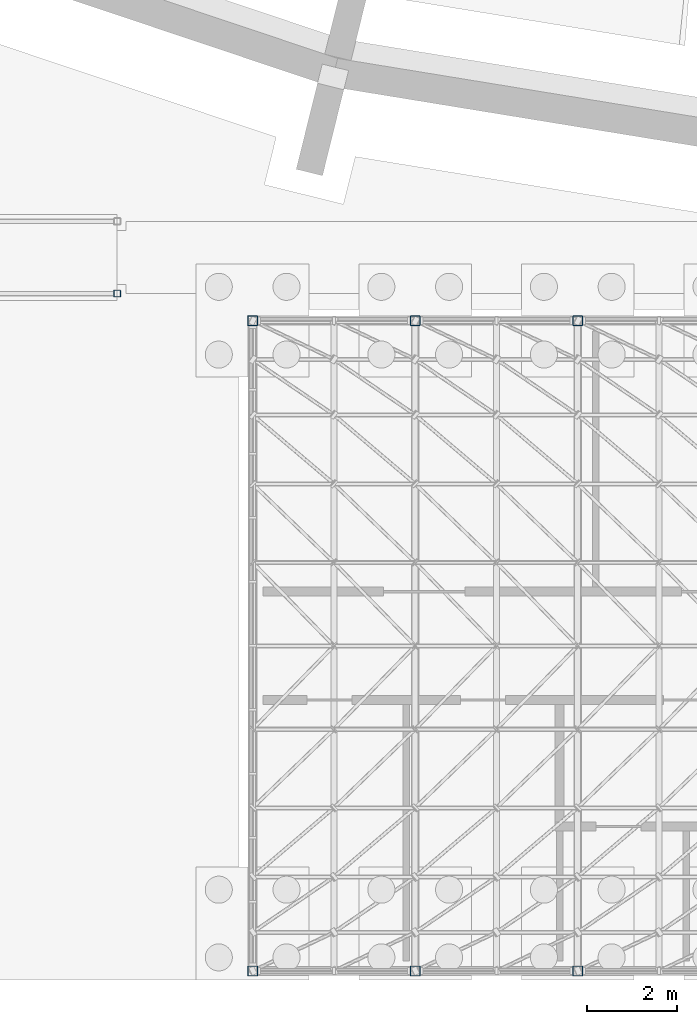
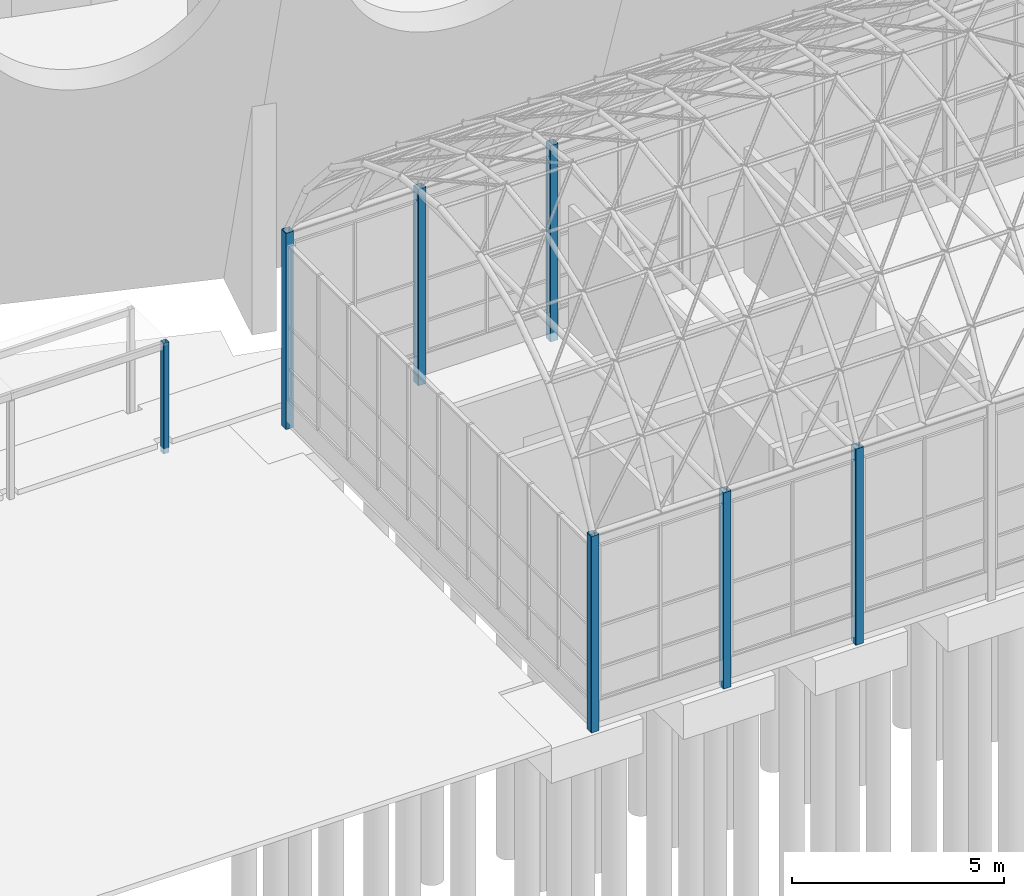
# One storey, part 5 of 116: 7 columns.
"""IFC4 building model written with IfcOpenShell, lengths in metres."""

from ifc_helpers import new_model, si_unit, direction, frame, origin, origin_2d, place, context, subcontext, project, spatial, hollow_rectangle, extrude, material, material_profile, profile_set, type_object, element, save


model = new_model("IFC4")

# Units and contexts
model_context = context("Model", 3, precision=1e-05, world=origin(), true_north=direction((0.0, 1.0)))
body_context = subcontext(model_context, "Body", "Model", "MODEL_VIEW")
ifc_project = project(units=[si_unit("LENGTHUNIT", "METRE"), si_unit("AREAUNIT", "SQUARE_METRE"), si_unit("VOLUMEUNIT", "CUBIC_METRE"), si_unit("PLANEANGLEUNIT", "RADIAN"), si_unit("MASSUNIT", "GRAM", prefix="KILO")], contexts=[model_context])

# Site, building, storey
site_placement = place(None, origin())
site = spatial("IfcSite", under=ifc_project, at=site_placement, CompositionType="ELEMENT")
building_placement = place(site_placement, origin())
building = spatial("IfcBuilding", under=site, at=building_placement, Name="Ardhachandra Cancer Care Centre", CompositionType="ELEMENT")
storey_placement = place(building_placement, origin())
storey = spatial("IfcBuildingStorey", under=building, at=storey_placement, Name="L00", CompositionType="ELEMENT", Elevation=0.0)

# Columns
ifc_material_1 = material(Name="Steel E350 (IS 2062)", Category="steel")
ifc_material_profile_1 = material_profile(ifc_material_1, hollow_rectangle(XDim=0.219970703125, YDim=0.219970703125, WallThickness=0.008056640625, InnerFilletRadius=0.008056640625, OuterFilletRadius=0.01611328125, at=origin_2d()), Name="SHS 220x220x8.0")
ifc_profile_set_1 = profile_set([ifc_material_profile_1], Name="Steel E350 (IS 2062)")
column_type_1 = type_object("IfcColumnType", Name="Column SHS 220x220x8.0", PredefinedType="COLUMN", material=ifc_profile_set_1)
for number, where, z_axis, x_axis, name in (
    (1, (63.60009765625, 7.199951171875, -0.25), (0.0, 0.0, 1.0), (1.0, 0.0, 0.0), "Pavilion column S1"),
    (2, (67.199951171875, 7.199951171875, -0.25), (0.0, 0.0, 1.0), (1.0, 0.0, 0.0), "Pavilion column S2"),
    (3, (70.800048828125, 7.199951171875, -0.25), (0.0, 0.0, 1.0), (1.0, 0.0, 0.0), "Pavilion column S3"),
    (4, (63.60009765625, 21.60009765625, -0.25), (0.0, 0.0, 1.0), (1.0, 0.0, 0.0), "Pavilion column N1"),
    (5, (67.199951171875, 21.60009765625, -0.25), (0.0, 0.0, 1.0), (1.0, 0.0, 0.0), "Pavilion column N2"),
    (6, (70.800048828125, 21.60009765625, -0.25), (0.0, 0.0, 1.0), (1.0, 0.0, 0.0), "Pavilion column N3"),
):
    element("IfcColumn", number, at=place(storey_placement, frame(where, z_axis=z_axis, x_axis=x_axis)), inside=storey, type_object=column_type_1, Name=name, PredefinedType="COLUMN", context=body_context, shape_type="SweptSolid", body=[
        extrude(hollow_rectangle(XDim=0.219970703125, YDim=0.219970703125, WallThickness=0.008056640625, InnerFilletRadius=0.008056640625, OuterFilletRadius=0.01611328125, at=origin_2d()), origin(), (0.0, 0.0, 1.0), 5.64990234375),
    ])
ifc_material_2 = material(Name="Steel E350 (IS 2062)", Category="steel")
ifc_material_profile_2 = material_profile(ifc_material_2, hollow_rectangle(XDim=0.14990234375, YDim=0.14990234375, WallThickness=0.006103515625, InnerFilletRadius=0.006103515625, OuterFilletRadius=0.011962890625, at=origin_2d()), Name="SHS 150x150x6.0")
ifc_profile_set_2 = profile_set([ifc_material_profile_2], Name="Steel E350 (IS 2062)")
column_type_2 = type_object("IfcColumnType", Name="Walk column SHS 150x150x6.0", PredefinedType="COLUMN", material=ifc_profile_set_2)
column_placement = place(storey_placement, frame((60.60009765625, 22.199951171875, -0.300048828125), z_axis=(0.0, 0.0, 1.0), x_axis=(1.0, 0.0, 0.0)))
element("IfcColumn", 7, at=column_placement, inside=storey, type_object=column_type_2, Name="Walk column S01", PredefinedType="COLUMN", context=body_context, shape_type="SweptSolid", body=[
    extrude(hollow_rectangle(XDim=0.14990234375, YDim=0.14990234375, WallThickness=0.006103515625, InnerFilletRadius=0.006103515625, OuterFilletRadius=0.011962890625, at=origin_2d()), origin(), (0.0, 0.0, 1.0), 3.179931640625),
])

save(model, "model.ifc")
